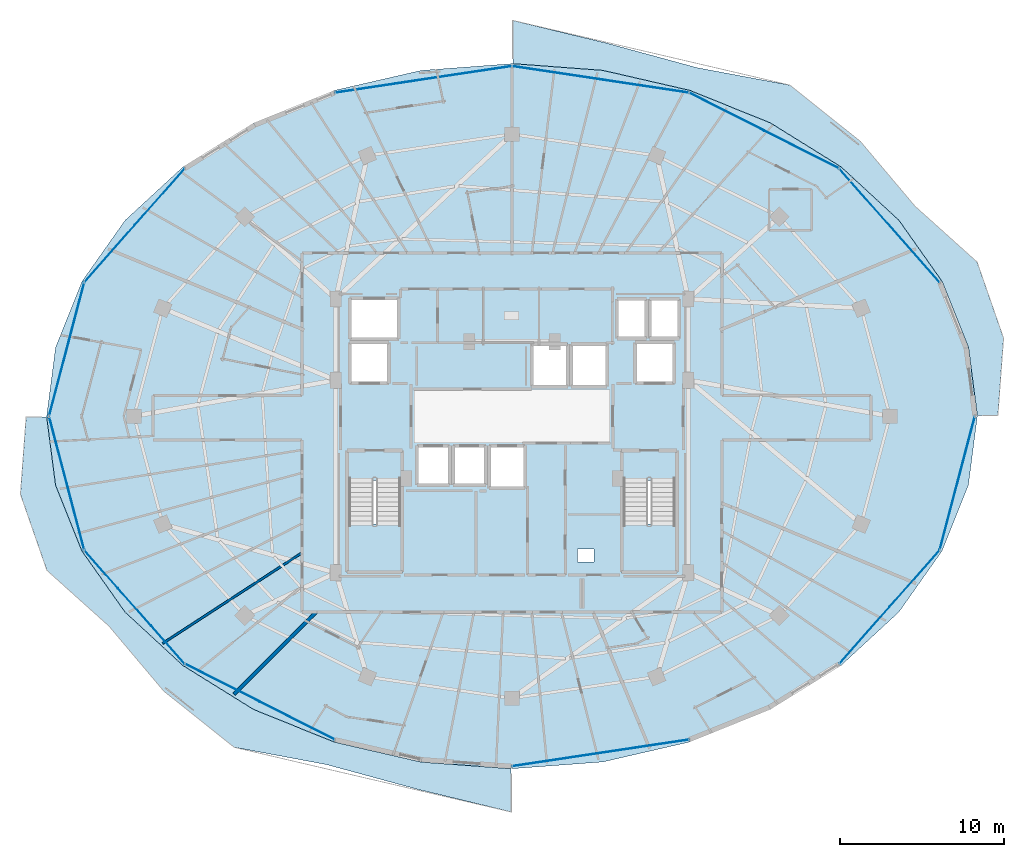
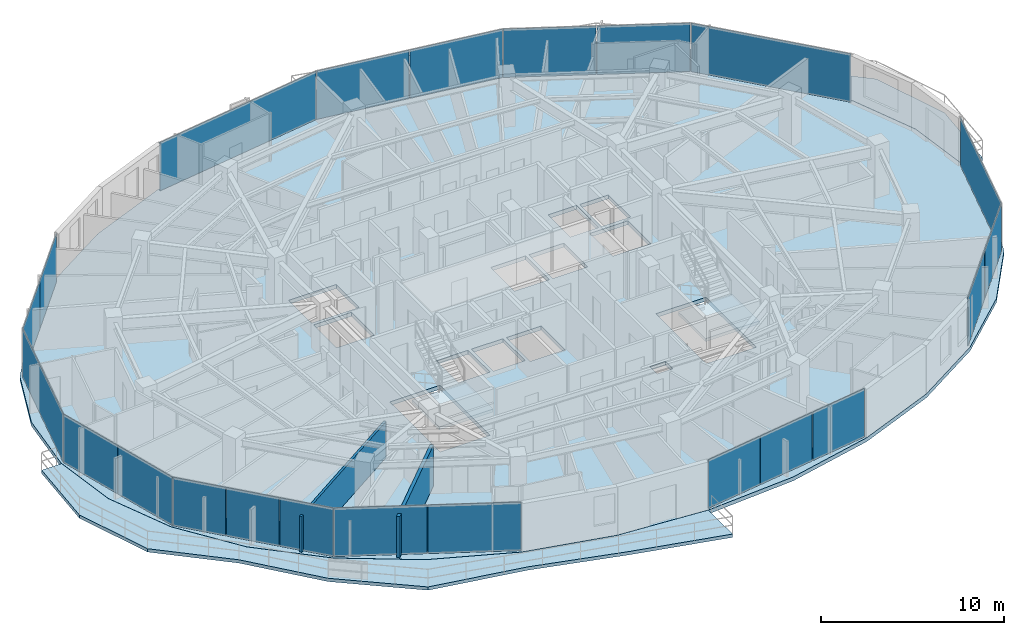
# One storey, part 23 of 33: 22 plates, 5 slabs, 2 walls, 6 elements without a shape of their own.
"""IFC4 building model written with IfcOpenShell, lengths in metres."""

from ifc_helpers import new_model, si_unit, direction, frame, frame_2d, origin, origin_2d, place, context, subcontext, project, spatial, polyline, rectangle, outline, extrude, material, layer, layer_set, type_object, element, aggregate, save


model = new_model("IFC4")

# Units and contexts
model_context = context("Model", 3, precision=1e-05, world=origin(), true_north=direction((0.0, 1.0)))
body_context = subcontext(model_context, "Body", "Model", "MODEL_VIEW")
ifc_project = project(units=[si_unit("LENGTHUNIT", "METRE"), si_unit("AREAUNIT", "SQUARE_METRE"), si_unit("VOLUMEUNIT", "CUBIC_METRE"), si_unit("PLANEANGLEUNIT", "RADIAN"), si_unit("MASSUNIT", "GRAM", prefix="KILO")], contexts=[model_context])

# Site, building, storey
site_placement = place(None, origin())
site = spatial("IfcSite", under=ifc_project, at=site_placement, CompositionType="ELEMENT")
building_placement = place(site_placement, origin())
building = spatial("IfcBuilding", under=site, at=building_placement, Name="Vorneva Point Tower", CompositionType="ELEMENT")
storey_placement = place(building_placement, frame((0.0, 0.0, 221.39990234375)))
storey = spatial("IfcBuildingStorey", under=building, at=storey_placement, Name="L60", CompositionType="ELEMENT", Elevation=221.39990234375)

# Curtain wall, plates
ifc_material_1 = material(Name="Pale anodised aluminium", Category="aluminium")
curtain_wall_type = type_object("IfcCurtainWallType", Name="CW-RES-SYS", PredefinedType="NOTDEFINED", material=ifc_material_1)
curtain_wall_1_placement = place(storey_placement, origin())
curtain_wall_1 = element("IfcCurtainWall", 1, at=curtain_wall_1_placement, inside=storey, type_object=curtain_wall_type, Name="L60 Unitised Curtain Wall CW-L60-R01", PredefinedType="NOTDEFINED")
ifc_material_2 = material(Name="Double low-e laminated glass IGU", Category="glass")
ifc_layer_1 = layer(ifc_material_2, 0.035888671875)
ifc_layer_set_1 = layer_set([ifc_layer_1], Name="Double low-e laminated glass IGU")
plate_type = type_object("IfcPlateType", Name="CW-PNL-VIS", PredefinedType="CURTAIN_PANEL", material=ifc_layer_set_1)
plate_1_placement = place(storey_placement, frame((61.021484375, 37.633544921875, -0.02001953125), z_axis=(0.0, 0.0, 1.0), x_axis=(-0.662110096764, 0.74940657841, 0.0)))
plate_1 = element("IfcPlate", 2, at=plate_1_placement, type_object=plate_type, Name="CW-L60-R01 Glazed Panel 01", PredefinedType="CURTAIN_PANEL", context=body_context, shape_type="SweptSolid", body=[
    extrude(rectangle(XDim=9.1923828125, YDim=0.035888671875, at=origin_2d()), origin(), (0.0, 0.0, 1.0), 3.239990234375),
])
plate_2_placement = place(storey_placement, frame((55.672119140625, 42.253662109375, -0.02001953125), z_axis=(0.0, 0.0, 1.0), x_axis=(-0.892514983762, 0.451017742179, 0.0)))
plate_2 = element("IfcPlate", 3, at=plate_2_placement, type_object=plate_type, Name="CW-L60-R01 Glazed Panel 02A", PredefinedType="CURTAIN_PANEL", context=body_context, shape_type="SweptSolid", body=[
    extrude(rectangle(XDim=5.080810546875, YDim=0.035888671875, at=origin_2d()), origin(), (0.0, 0.0, 1.0), 3.239990234375),
])
plate_3_placement = place(storey_placement, frame((51.0927734375, 44.56787109375, -0.02001953125), z_axis=(0.0, 0.0, 1.0), x_axis=(-0.892514983762, 0.451017742179, 0.0)))
plate_3 = element("IfcPlate", 4, at=plate_3_placement, type_object=plate_type, Name="CW-L60-R01 Glazed Panel 02B", PredefinedType="CURTAIN_PANEL", context=body_context, shape_type="SweptSolid", body=[
    extrude(rectangle(XDim=5.080810546875, YDim=0.035888671875, at=origin_2d()), origin(), (0.0, 0.0, 1.0), 3.239990234375),
])
plate_4_placement = place(storey_placement, frame((46.102294921875, 46.131103515625, -0.02001953125), z_axis=(0.0, 0.0, 1.0), x_axis=(-0.988873520862, 0.148758729957, 0.0)))
plate_4 = element("IfcPlate", 5, at=plate_4_placement, type_object=plate_type, Name="CW-L60-R01 Glazed Panel 03A", PredefinedType="CURTAIN_PANEL", context=body_context, shape_type="SweptSolid", body=[
    extrude(rectangle(XDim=5.412353515625, YDim=0.035888671875, at=origin_2d()), origin(), (0.0, 0.0, 1.0), 3.239990234375),
])
plate_5_placement = place(storey_placement, frame((40.70068359375, 46.943603515625, -0.02001953125), z_axis=(0.0, 0.0, 1.0), x_axis=(-0.988873520862, 0.148758729957, 0.0)))
plate_5 = element("IfcPlate", 6, at=plate_5_placement, type_object=plate_type, Name="CW-L60-R01 Glazed Panel 03B", PredefinedType="CURTAIN_PANEL", context=body_context, shape_type="SweptSolid", body=[
    extrude(rectangle(XDim=5.412353515625, YDim=0.035888671875, at=origin_2d()), origin(), (0.0, 0.0, 1.0), 3.239990234375),
])
plate_6_placement = place(storey_placement, frame((32.598388671875, 46.537353515625, -0.02001953125), z_axis=(0.0, 0.0, 1.0), x_axis=(-0.988873520862, -0.148758729957, 0.0)))
plate_6 = element("IfcPlate", 7, at=plate_6_placement, type_object=plate_type, Name="CW-L60-R01 Glazed Panel 04", PredefinedType="CURTAIN_PANEL", context=body_context, shape_type="SweptSolid", body=[
    extrude(rectangle(XDim=10.874755859375, YDim=0.035888671875, at=origin_2d()), origin(), (0.0, 0.0, 1.0), 3.239990234375),
])
aggregate(curtain_wall_1, [plate_1, plate_2, plate_3, plate_4, plate_5, plate_6])

curtain_wall_2_placement = place(storey_placement, origin())
curtain_wall_2 = element("IfcCurtainWall", 8, at=curtain_wall_2_placement, inside=storey, type_object=curtain_wall_type, Name="L60 Unitised Curtain Wall CW-L60-R02", PredefinedType="NOTDEFINED")
plate_7_placement = place(storey_placement, frame((16.508544921875, 39.364990234375, -0.02001953125), z_axis=(0.0, 0.0, 1.0), x_axis=(-0.662110096764, -0.74940657841, 0.0)))
plate_7 = element("IfcPlate", 9, at=plate_7_placement, type_object=plate_type, Name="CW-L60-R02 Glazed Panel 01A", PredefinedType="CURTAIN_PANEL", context=body_context, shape_type="SweptSolid", body=[
    extrude(rectangle(XDim=4.5712890625, YDim=0.035888671875, at=origin_2d()), origin(), (0.0, 0.0, 1.0), 3.239990234375),
])
plate_8_placement = place(storey_placement, frame((13.44873046875, 35.90185546875, -0.02001953125), z_axis=(0.0, 0.0, 1.0), x_axis=(-0.662110096764, -0.74940657841, 0.0)))
plate_8 = element("IfcPlate", 10, at=plate_8_placement, type_object=plate_type, Name="CW-L60-R02 Glazed Panel 01B", PredefinedType="CURTAIN_PANEL", context=body_context, shape_type="SweptSolid", body=[
    extrude(rectangle(XDim=4.5712890625, YDim=0.035888671875, at=origin_2d()), origin(), (0.0, 0.0, 1.0), 3.239990234375),
])
plate_9_placement = place(storey_placement, frame((10.844482421875, 30.085205078125, -0.02001953125), z_axis=(0.0, 0.0, 1.0), x_axis=(-0.254365646708, -0.967108121036, 0.0)))
plate_9 = element("IfcPlate", 11, at=plate_9_placement, type_object=plate_type, Name="CW-L60-R02 Glazed Panel 02", PredefinedType="CURTAIN_PANEL", context=body_context, shape_type="SweptSolid", body=[
    extrude(rectangle(XDim=8.398193359375, YDim=0.035888671875, at=origin_2d()), origin(), (0.0, 0.0, 1.0), 3.239990234375),
])
plate_10_placement = place(storey_placement, frame((10.30712890625, 23.95751953125, -0.02001953125), z_axis=(0.0, 0.0, 1.0), x_axis=(0.254365646708, -0.967108121036, 0.0)))
plate_10 = element("IfcPlate", 12, at=plate_10_placement, type_object=plate_type, Name="CW-L60-R02 Glazed Panel 03A", PredefinedType="CURTAIN_PANEL", context=body_context, shape_type="SweptSolid", body=[
    extrude(rectangle(XDim=4.174072265625, YDim=0.035888671875, at=origin_2d()), origin(), (0.0, 0.0, 1.0), 3.239990234375),
])
plate_11_placement = place(storey_placement, frame((11.381591796875, 19.872314453125, -0.02001953125), z_axis=(0.0, 0.0, 1.0), x_axis=(0.254365646708, -0.967108121036, 0.0)))
plate_11 = element("IfcPlate", 13, at=plate_11_placement, type_object=plate_type, Name="CW-L60-R02 Glazed Panel 03B", PredefinedType="CURTAIN_PANEL", context=body_context, shape_type="SweptSolid", body=[
    extrude(rectangle(XDim=4.174072265625, YDim=0.035888671875, at=origin_2d()), origin(), (0.0, 0.0, 1.0), 3.239990234375),
])
plate_12_placement = place(storey_placement, frame((12.938720703125, 16.67529296875, -0.02001953125), z_axis=(0.0, 0.0, 1.0), x_axis=(0.662110096764, -0.74940657841, 0.0)))
plate_12 = element("IfcPlate", 14, at=plate_12_placement, type_object=plate_type, Name="CW-L60-R02 Glazed Panel 04A", PredefinedType="CURTAIN_PANEL", context=body_context, shape_type="SweptSolid", body=[
    extrude(rectangle(XDim=3.03076171875, YDim=0.035888671875, at=origin_2d()), origin(), (0.0, 0.0, 1.0), 3.239990234375),
])
plate_13_placement = place(storey_placement, frame((14.978759765625, 14.366455078125, -0.02001953125), z_axis=(0.0, 0.0, 1.0), x_axis=(0.662110096764, -0.74940657841, 0.0)))
plate_13 = element("IfcPlate", 15, at=plate_13_placement, type_object=plate_type, Name="CW-L60-R02 Glazed Panel 04B", PredefinedType="CURTAIN_PANEL", context=body_context, shape_type="SweptSolid", body=[
    extrude(rectangle(XDim=3.03076171875, YDim=0.035888671875, at=origin_2d()), origin(), (0.0, 0.0, 1.0), 3.239990234375),
])
plate_14_placement = place(storey_placement, frame((17.0185546875, 12.0576171875, -0.02001953125), z_axis=(0.0, 0.0, 1.0), x_axis=(0.662110096764, -0.74940657841, 0.0)))
plate_14 = element("IfcPlate", 16, at=plate_14_placement, type_object=plate_type, Name="CW-L60-R02 Glazed Panel 04C", PredefinedType="CURTAIN_PANEL", context=body_context, shape_type="SweptSolid", body=[
    extrude(rectangle(XDim=3.03076171875, YDim=0.035888671875, at=origin_2d()), origin(), (0.0, 0.0, 1.0), 3.239990234375),
])
plate_15_placement = place(storey_placement, frame((20.327880859375, 9.746337890625, -0.02001953125), z_axis=(0.0, 0.0, 1.0), x_axis=(0.892514983762, -0.451017742179, 0.0)))
plate_15 = element("IfcPlate", 17, at=plate_15_placement, type_object=plate_type, Name="CW-L60-R02 Glazed Panel 05A", PredefinedType="CURTAIN_PANEL", context=body_context, shape_type="SweptSolid", body=[
    extrude(rectangle(XDim=5.080810546875, YDim=0.035888671875, at=origin_2d()), origin(), (0.0, 0.0, 1.0), 3.239990234375),
])
plate_16_placement = place(storey_placement, frame((24.9072265625, 7.43212890625, -0.02001953125), z_axis=(0.0, 0.0, 1.0), x_axis=(0.892514983762, -0.451017742179, 0.0)))
plate_16 = element("IfcPlate", 18, at=plate_16_placement, type_object=plate_type, Name="CW-L60-R02 Glazed Panel 05B", PredefinedType="CURTAIN_PANEL", context=body_context, shape_type="SweptSolid", body=[
    extrude(rectangle(XDim=5.080810546875, YDim=0.035888671875, at=origin_2d()), origin(), (0.0, 0.0, 1.0), 3.239990234375),
])
aggregate(curtain_wall_2, [plate_7, plate_8, plate_9, plate_10, plate_11, plate_12, plate_13, plate_14, plate_15, plate_16])

curtain_wall_3_placement = place(storey_placement, origin())
curtain_wall_3 = element("IfcCurtainWall", 19, at=curtain_wall_3_placement, inside=storey, type_object=curtain_wall_type, Name="L60 Unitised Curtain Wall CW-L60-R03", PredefinedType="NOTDEFINED")
plate_17_placement = place(storey_placement, frame((39.800537109375, 4.9208984375, -0.02001953125), z_axis=(0.0, 0.0, 1.0), x_axis=(0.988873520862, 0.148758729957, 0.0)))
plate_17 = element("IfcPlate", 20, at=plate_17_placement, type_object=plate_type, Name="CW-L60-R03 Glazed Panel 01A", PredefinedType="CURTAIN_PANEL", context=body_context, shape_type="SweptSolid", body=[
    extrude(rectangle(XDim=3.591552734375, YDim=0.035888671875, at=origin_2d()), origin(), (0.0, 0.0, 1.0), 3.239990234375),
])
plate_18_placement = place(storey_placement, frame((43.401611328125, 5.462646484375, -0.02001953125), z_axis=(0.0, 0.0, 1.0), x_axis=(0.988873520862, 0.148758729957, 0.0)))
plate_18 = element("IfcPlate", 21, at=plate_18_placement, type_object=plate_type, Name="CW-L60-R03 Glazed Panel 01B", PredefinedType="CURTAIN_PANEL", context=body_context, shape_type="SweptSolid", body=[
    extrude(rectangle(XDim=3.591552734375, YDim=0.035888671875, at=origin_2d()), origin(), (0.0, 0.0, 1.0), 3.239990234375),
])
plate_19_placement = place(storey_placement, frame((47.002685546875, 6.00439453125, -0.02001953125), z_axis=(0.0, 0.0, 1.0), x_axis=(0.988873520862, 0.148758729957, 0.0)))
plate_19 = element("IfcPlate", 22, at=plate_19_placement, type_object=plate_type, Name="CW-L60-R03 Glazed Panel 01C", PredefinedType="CURTAIN_PANEL", context=body_context, shape_type="SweptSolid", body=[
    extrude(rectangle(XDim=3.591552734375, YDim=0.035888671875, at=origin_2d()), origin(), (0.0, 0.0, 1.0), 3.239990234375),
])
aggregate(curtain_wall_3, [plate_17, plate_18, plate_19])

curtain_wall_4_placement = place(storey_placement, origin())
curtain_wall_4 = element("IfcCurtainWall", 23, at=curtain_wall_4_placement, inside=storey, type_object=curtain_wall_type, Name="L60 Unitised Curtain Wall CW-L60-R04", PredefinedType="NOTDEFINED")
plate_20_placement = place(storey_placement, frame((59.491455078125, 12.635009765625, -0.02001953125), z_axis=(0.0, 0.0, 1.0), x_axis=(0.662110096764, 0.74940657841, 0.0)))
plate_20 = element("IfcPlate", 24, at=plate_20_placement, type_object=plate_type, Name="CW-L60-R04 Glazed Panel 01A", PredefinedType="CURTAIN_PANEL", context=body_context, shape_type="SweptSolid", body=[
    extrude(rectangle(XDim=4.5712890625, YDim=0.035888671875, at=origin_2d()), origin(), (0.0, 0.0, 1.0), 3.239990234375),
])
plate_21_placement = place(storey_placement, frame((62.55126953125, 16.09814453125, -0.02001953125), z_axis=(0.0, 0.0, 1.0), x_axis=(0.662110096764, 0.74940657841, 0.0)))
plate_21 = element("IfcPlate", 25, at=plate_21_placement, type_object=plate_type, Name="CW-L60-R04 Glazed Panel 01B", PredefinedType="CURTAIN_PANEL", context=body_context, shape_type="SweptSolid", body=[
    extrude(rectangle(XDim=4.5712890625, YDim=0.035888671875, at=origin_2d()), origin(), (0.0, 0.0, 1.0), 3.239990234375),
])
plate_22_placement = place(storey_placement, frame((65.155517578125, 21.914794921875, -0.02001953125), z_axis=(0.0, 0.0, 1.0), x_axis=(0.254365646708, 0.967108121036, 0.0)))
plate_22 = element("IfcPlate", 26, at=plate_22_placement, type_object=plate_type, Name="CW-L60-R04 Glazed Panel 02", PredefinedType="CURTAIN_PANEL", context=body_context, shape_type="SweptSolid", body=[
    extrude(rectangle(XDim=8.398193359375, YDim=0.035888671875, at=origin_2d()), origin(), (0.0, 0.0, 1.0), 3.239990234375),
])
aggregate(curtain_wall_4, [plate_20, plate_21, plate_22])

# Slabs
ifc_material_3 = material(Name="Concrete B50 (C40/50)", Category="concrete")
ifc_layer_2 = layer(ifc_material_3, 0.219970703125)
ifc_layer_set_2 = layer_set([ifc_layer_2], Name="Concrete B50 (C40/50)")
slab_type_1 = type_object("IfcSlabType", Name="SLB-BAL-220", PredefinedType="FLOOR", material=ifc_layer_set_2)
slab_1_placement = place(storey_placement, frame((0.0, 0.0, -0.219970703125)))
element("IfcSlab", 27, at=slab_1_placement, inside=storey, type_object=slab_type_1, Name="L60 Cantilevered Wave Balcony NE", PredefinedType="FLOOR", context=body_context, shape_type="SweptSolid", body=[
    extrude(outline(polyline([(38.050048828125, 50.137939453125), (38.050048828125, 47.500244140625), (43.537109375, 47.0908203125), (43.537353515625, 47.0908203125), (43.53759765625, 47.0908203125), (48.861572265625, 45.8671875), (48.86181640625, 45.8671875), (48.862060546875, 45.8671875), (53.7685546875, 43.88037109375), (53.768798828125, 43.880126953125), (53.769287109375, 43.8798828125), (58.06982421875, 41.206298828125), (58.070068359375, 41.2060546875), (58.0703125, 41.205810546875), (61.599853515625, 37.94775390625), (61.60009765625, 37.947509765625), (61.600341796875, 37.947021484375), (64.222900390625, 34.22998046875), (64.22314453125, 34.2294921875), (64.223388671875, 34.229248046875), (65.83837890625, 30.19580078125), (65.83837890625, 30.195556640625), (65.838623046875, 30.1953125), (65.838623046875, 30.19482421875), (66.37744140625, 26.050048828125), (67.6337890625, 26.050048828125), (67.97998046875, 30.7578125), (66.364990234375, 35.400634765625), (62.574462890625, 38.806884765625), (59.2451171875, 42.757080078125), (54.939697265625, 46.193359375), (49.296142578125, 47.251708984375), (43.787353515625, 48.750244140625), (38.050048828125, 50.137939453125)])), origin(), (0.0, 0.0, 1.0), 0.219970703125),
])
slab_2_placement = place(storey_placement, frame((0.0, 0.0, -0.219970703125)))
element("IfcSlab", 28, at=slab_2_placement, inside=storey, type_object=slab_type_1, Name="L60 Cantilevered Wave Balcony SW", PredefinedType="FLOOR", context=body_context, shape_type="SweptSolid", body=[
    extrude(outline(polyline([(37.949951171875, 1.862060546875), (37.949951171875, 4.499755859375), (32.462890625, 4.9091796875), (32.462646484375, 4.9091796875), (32.46240234375, 4.9091796875), (27.138427734375, 6.1328125), (27.13818359375, 6.1328125), (27.137939453125, 6.1328125), (22.2314453125, 8.11962890625), (22.231201171875, 8.119873046875), (22.230712890625, 8.1201171875), (17.93017578125, 10.793701171875), (17.929931640625, 10.7939453125), (17.9296875, 10.794189453125), (14.400146484375, 14.05224609375), (14.39990234375, 14.052490234375), (14.399658203125, 14.052978515625), (11.777099609375, 17.77001953125), (11.77685546875, 17.7705078125), (11.776611328125, 17.770751953125), (10.16162109375, 21.80419921875), (10.16162109375, 21.804443359375), (10.161376953125, 21.8046875), (10.161376953125, 21.80517578125), (9.62255859375, 25.949951171875), (8.3662109375, 25.949951171875), (8.02001953125, 21.2421875), (9.635009765625, 16.599365234375), (13.425537109375, 13.193115234375), (16.7548828125, 9.242919921875), (21.060302734375, 5.806640625), (26.703857421875, 4.748291015625), (32.212646484375, 3.249755859375), (37.949951171875, 1.862060546875)])), origin(), (0.0, 0.0, 1.0), 0.219970703125),
])

# Stair, slab
stair_type = type_object("IfcStairType", Name="ST-DOG-1500", PredefinedType="HALF_TURN_STAIR", material=ifc_material_3)
stair_1_placement = place(storey_placement, origin())
stair_1 = element("IfcStair", 29, at=stair_1_placement, inside=storey, type_object=stair_type, Name="L60 ST1", PredefinedType="HALF_TURN_STAIR")
ifc_layer_3 = layer(ifc_material_3, 0.199951171875)
ifc_layer_set_3 = layer_set([ifc_layer_3], Name="Concrete B50 (C40/50)")
slab_type_2 = type_object("IfcSlabType", Name="SLB-LND-200", PredefinedType="LANDING", material=ifc_layer_set_3)
slab_3_placement = place(storey_placement, frame((0.0, 0.0, 1.5751953125)))
slab_3 = element("IfcSlab", 30, at=slab_3_placement, type_object=slab_type_2, Name="ST1 landing 1", PredefinedType="LANDING", context=body_context, shape_type="SweptSolid", body=[
    extrude(outline(polyline([(27.929931640625, 16.47998046875), (31.320068359375, 16.47998046875), (31.320068359375, 19.43994140625), (27.929931640625, 19.43994140625), (27.929931640625, 16.47998046875)])), origin(), (0.0, 0.0, 1.0), 0.199951171875),
])
aggregate(stair_1, [slab_3])

stair_2_placement = place(storey_placement, origin())
stair_2 = element("IfcStair", 31, at=stair_2_placement, inside=storey, type_object=stair_type, Name="L60 ST2", PredefinedType="HALF_TURN_STAIR")
slab_4_placement = place(storey_placement, frame((0.0, 0.0, 1.5751953125)))
slab_4 = element("IfcSlab", 32, at=slab_4_placement, type_object=slab_type_2, Name="ST2 landing 1", PredefinedType="LANDING", context=body_context, shape_type="SweptSolid", body=[
    extrude(outline(polyline([(44.679931640625, 16.47998046875), (48.070068359375, 16.47998046875), (48.070068359375, 19.43994140625), (44.679931640625, 19.43994140625), (44.679931640625, 16.47998046875)])), origin(), (0.0, 0.0, 1.0), 0.199951171875),
])
aggregate(stair_2, [slab_4])

# Slab
ifc_layer_4 = layer(ifc_material_3, 0.260009765625)
ifc_layer_set_4 = layer_set([ifc_layer_4], Name="Concrete B50 (C40/50)")
slab_type_3 = type_object("IfcSlabType", Name="SLB-TYP-260", PredefinedType="FLOOR", material=ifc_layer_set_4)
slab_5_placement = place(storey_placement, frame((0.0, 0.0, -0.260009765625)))
element("IfcSlab", 33, at=slab_5_placement, inside=storey, type_object=slab_type_3, Name="L60 Structural Floor Plate", PredefinedType="FLOOR", context=body_context, shape_type="SweptSolid", body=[
    extrude(outline(polyline([(66.3798828125, 26.0), (65.834716796875, 30.1943359375), (64.2197265625, 34.227783203125), (61.59716796875, 37.94482421875), (58.067626953125, 41.202880859375), (53.76708984375, 43.876708984375), (48.860595703125, 45.86328125), (43.53662109375, 47.0869140625), (38.0, 47.5), (32.46337890625, 47.0869140625), (27.139404296875, 45.86328125), (22.23291015625, 43.876708984375), (17.932373046875, 41.202880859375), (14.40283203125, 37.94482421875), (11.7802734375, 34.227783203125), (10.165283203125, 30.1943359375), (9.6201171875, 26.0), (10.165283203125, 21.8056640625), (11.7802734375, 17.772216796875), (14.40283203125, 14.05517578125), (17.932373046875, 10.797119140625), (22.23291015625, 8.123291015625), (27.139404296875, 6.13671875), (32.46337890625, 4.9130859375), (38.0, 4.5), (43.53662109375, 4.9130859375), (48.860595703125, 6.13671875), (53.76708984375, 8.123291015625), (58.067626953125, 10.797119140625), (61.59716796875, 14.05517578125), (64.2197265625, 17.772216796875), (65.834716796875, 21.8056640625), (66.3798828125, 26.0)]), holes=[polyline([(32.199951171875, 21.800048828125), (34.199951171875, 21.800048828125), (34.199951171875, 24.199951171875), (32.199951171875, 24.199951171875), (32.199951171875, 21.800048828125)]), polyline([(34.39990234375, 21.800048828125), (36.39990234375, 21.800048828125), (36.39990234375, 24.199951171875), (34.39990234375, 24.199951171875), (34.39990234375, 21.800048828125)]), polyline([(36.60009765625, 21.60009765625), (38.800048828125, 21.60009765625), (38.800048828125, 24.199951171875), (36.60009765625, 24.199951171875), (36.60009765625, 21.60009765625)]), polyline([(39.199951171875, 27.800048828125), (41.39990234375, 27.800048828125), (41.39990234375, 30.39990234375), (39.199951171875, 30.39990234375), (39.199951171875, 27.800048828125)]), polyline([(41.60009765625, 27.800048828125), (43.800048828125, 27.800048828125), (43.800048828125, 30.39990234375), (41.60009765625, 30.39990234375), (41.60009765625, 27.800048828125)]), polyline([(44.39990234375, 30.739990234375), (46.199951171875, 30.739990234375), (46.199951171875, 33.159912109375), (44.39990234375, 33.159912109375), (44.39990234375, 30.739990234375)]), polyline([(46.39990234375, 30.739990234375), (48.199951171875, 30.739990234375), (48.199951171875, 33.159912109375), (46.39990234375, 33.159912109375), (46.39990234375, 30.739990234375)]), polyline([(28.10009765625, 28.0), (30.5, 28.0), (30.5, 30.5), (28.10009765625, 30.5), (28.10009765625, 28.0)]), polyline([(45.5, 28.0), (47.89990234375, 28.0), (47.89990234375, 30.5), (45.5, 30.5), (45.5, 28.0)]), polyline([(28.10009765625, 30.699951171875), (31.10009765625, 30.699951171875), (31.10009765625, 33.199951171875), (28.10009765625, 33.199951171875), (28.10009765625, 30.699951171875)]), polyline([(28.050048828125, 16.60009765625), (31.199951171875, 16.60009765625), (31.199951171875, 22.080078125), (28.050048828125, 22.080078125), (28.050048828125, 16.60009765625)]), polyline([(44.800048828125, 16.60009765625), (47.949951171875, 16.60009765625), (47.949951171875, 22.080078125), (44.800048828125, 22.080078125), (44.800048828125, 16.60009765625)]), polyline([(42.0, 17.10009765625), (43.0, 17.10009765625), (43.0, 17.89990234375), (42.0, 17.89990234375), (42.0, 17.10009765625)])]), origin(), (0.0, 0.0, 1.0), 0.260009765625),
])

# Walls
ifc_material_4 = material(Name="Fire-rated acoustic gypsum stud partition", Category="gypsum")
ifc_layer_5 = layer(ifc_material_4, 0.139892578125)
ifc_layer_set_5 = layer_set([ifc_layer_5], Name="Fire-rated acoustic gypsum stud partition")
wall_type_1 = type_object("IfcWallType", Name="WL-PART-140", PredefinedType="PARTITIONING", material=ifc_layer_set_5)
wall_1_placement = place(storey_placement, frame((16.696044921875, 12.14306640625, 0.0), z_axis=(0.0, 0.0, 1.0), x_axis=(0.83828742398, 0.545228571149, 0.0)))
element("IfcWall", 34, at=wall_1_placement, inside=storey, type_object=wall_type_1, Name="L60 Interior Partition 132", PredefinedType="PARTITIONING", context=body_context, shape_type="SweptSolid", body=[
    extrude(rectangle(XDim=10.144287109375, YDim=0.139892578125, at=frame_2d((5.072265625, 0.0))), origin(), (0.0, 0.0, 1.0), 2.39208984375),
])
ifc_material_5 = material(Name="Autoclaved aerated concrete blockwork", Category="masonry")
ifc_layer_6 = layer(ifc_material_5, 0.199951171875)
ifc_layer_set_6 = layer_set([ifc_layer_6], Name="Autoclaved aerated concrete blockwork")
wall_type_2 = type_object("IfcWallType", Name="WL-PART-200", PredefinedType="PARTITIONING", material=ifc_layer_set_6)
wall_2_placement = place(storey_placement, frame((21.041015625, 9.041015625, 0.0), z_axis=(0.0, 0.0, 1.0), x_axis=(0.707106781187, 0.707106781187, 0.0)))
element("IfcWall", 35, at=wall_2_placement, inside=storey, type_object=wall_type_2, Name="L60 Interior Partition 134", PredefinedType="PARTITIONING", context=body_context, shape_type="SweptSolid", body=[
    extrude(rectangle(XDim=7.083740234375, YDim=0.199951171875, at=frame_2d((3.5419921875, 0.0))), origin(), (0.0, 0.0, 1.0), 2.734130859375),
])

save(model, "model.ifc")
